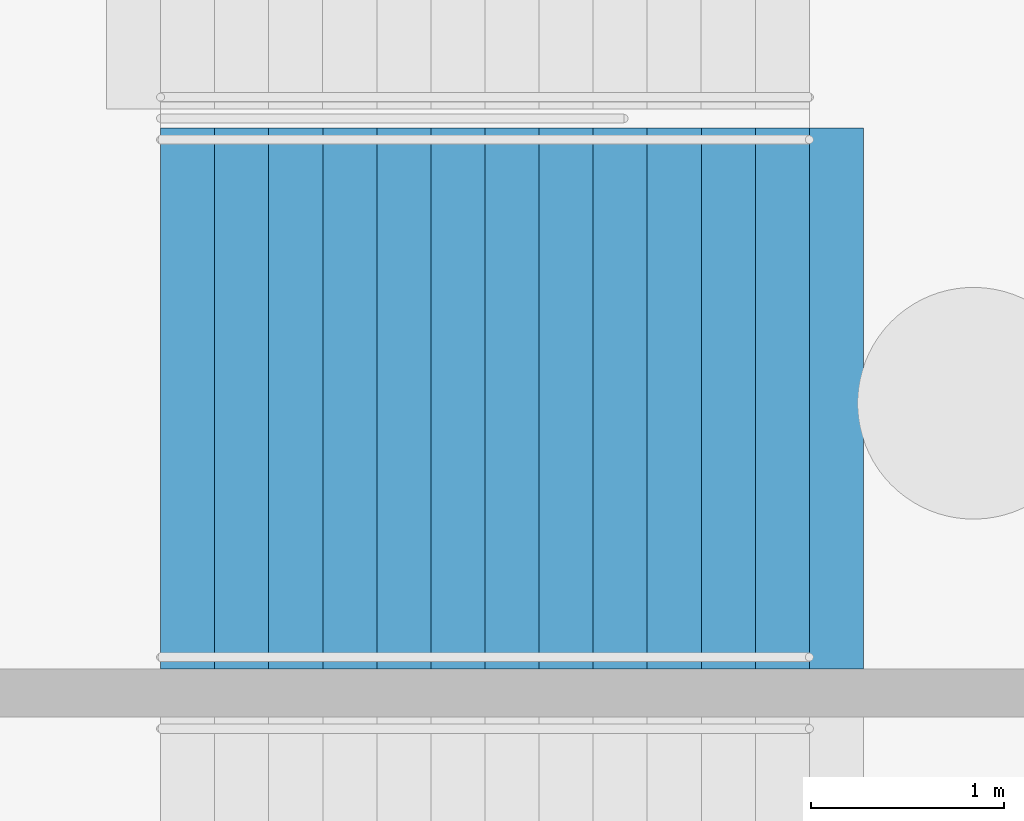
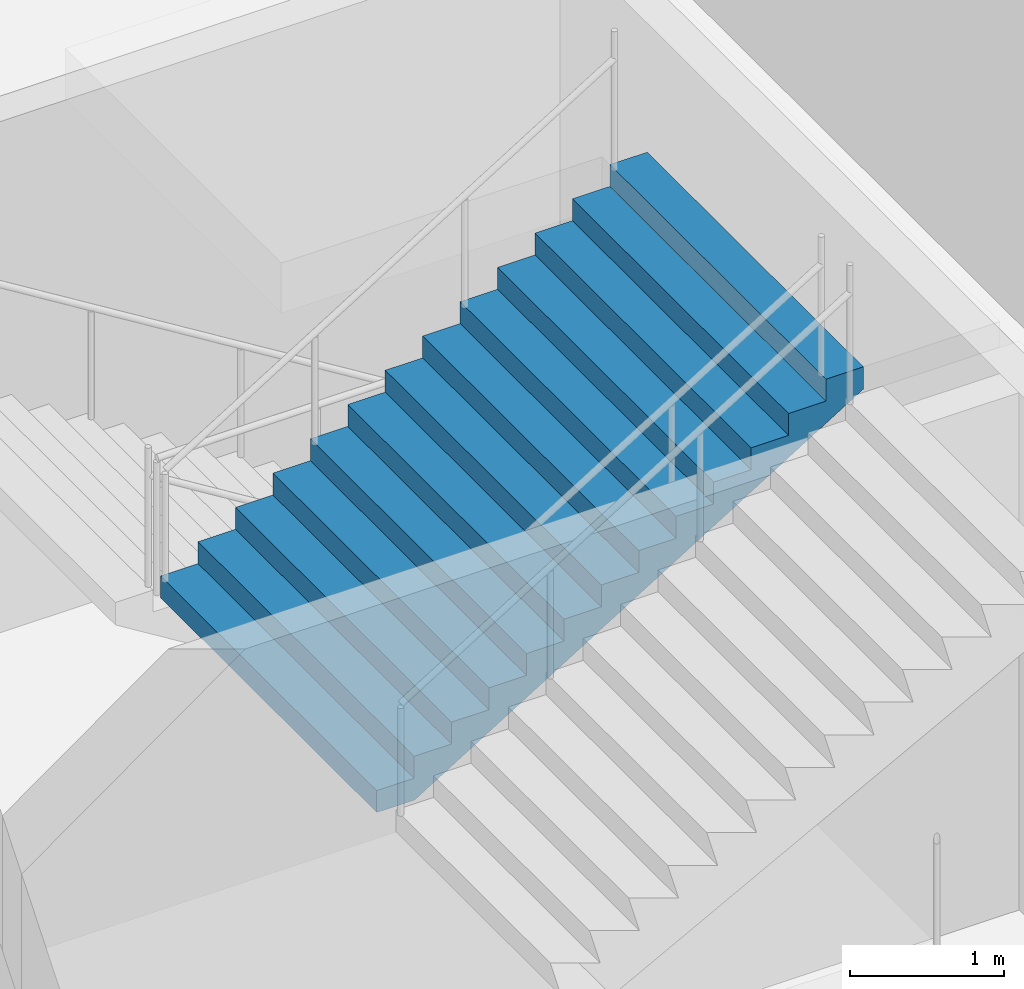
# One storey, part 92 of 115: 1 stair flight, 1 element without a shape of its own.
"""IFC4 building model written with IfcOpenShell, lengths in metres."""

from ifc_helpers import new_model, si_unit, direction, frame, origin, place, context, subcontext, project, spatial, faceted_brep, material, type_object, element, aggregate, save


model = new_model("IFC4")

# Units and contexts
model_context = context("Model", 3, precision=1e-05, world=origin(), true_north=direction((0.0, 1.0)))
body_context = subcontext(model_context, "Body", "Model", "MODEL_VIEW")
ifc_project = project(units=[si_unit("LENGTHUNIT", "METRE"), si_unit("AREAUNIT", "SQUARE_METRE"), si_unit("VOLUMEUNIT", "CUBIC_METRE"), si_unit("PLANEANGLEUNIT", "RADIAN"), si_unit("MASSUNIT", "GRAM", prefix="KILO")], contexts=[model_context])

# Site, building, storey
site_placement = place(None, origin())
site = spatial("IfcSite", under=ifc_project, at=site_placement, CompositionType="ELEMENT")
building_placement = place(site_placement, origin())
building = spatial("IfcBuilding", under=site, at=building_placement, Name="Ogive Plaza Stadium", CompositionType="ELEMENT")
storey_placement = place(building_placement, frame((0.0, 0.0, -4.5)))
storey = spatial("IfcBuildingStorey", under=building, at=storey_placement, Name="B1", CompositionType="ELEMENT", Elevation=-4.5)

# Stair, stair flight
ifc_material_1 = material(Name="Concrete C40/50", Category="concrete")
stair_type = type_object("IfcStairType", Name="Exit stair", PredefinedType="STRAIGHT_RUN_STAIR", material=ifc_material_1)
stair_placement = place(storey_placement, origin())
stair = element("IfcStair", 1, at=stair_placement, inside=storey, type_object=stair_type, Name="Exit stair ST26A B1 to L00", PredefinedType="STRAIGHT_RUN_STAIR")
ifc_material_2 = material(Name="Concrete C40/50", Category="concrete")
stair_flight_type = type_object("IfcStairFlightType", Name="Exit stair flight", PredefinedType="STRAIGHT", material=ifc_material_2)
stair_flight_placement = place(storey_placement, frame((-79.7099609375, 24.02490234375, 2.25), z_axis=(0.0, 0.0, 1.0), x_axis=(1.0, 0.0, 0.0)))
stair_flight = element("IfcStairFlight", 2, at=stair_flight_placement, type_object=stair_flight_type, Name="ST26A flight 2", NumberOfRisers=13, NumberOfTreads=12, PredefinedType="STRAIGHT", RiserHeight=0.173076923, TreadLength=0.28, context=body_context, shape_type="Brep", body=[
    faceted_brep([(0.28515625, -1.39990234375, 0.0), (3.639892578125, -1.39990234375, 2.07373046875), (3.639892578125, -1.39990234375, 2.25), (3.360107421875, -1.39990234375, 2.25), (3.360107421875, -1.39990234375, 2.076904296875), (3.080078125, -1.39990234375, 2.076904296875), (3.080078125, -1.39990234375, 1.90380859375), (2.800048828125, -1.39990234375, 1.90380859375), (2.800048828125, -1.39990234375, 1.730712890625), (2.52001953125, -1.39990234375, 1.730712890625), (2.52001953125, -1.39990234375, 1.5576171875), (2.239990234375, -1.39990234375, 1.5576171875), (2.239990234375, -1.39990234375, 1.384521484375), (1.9599609375, -1.39990234375, 1.384521484375), (1.9599609375, -1.39990234375, 1.21142578125), (1.679931640625, -1.39990234375, 1.21142578125), (1.679931640625, -1.39990234375, 1.03857421875), (1.39990234375, -1.39990234375, 1.03857421875), (1.39990234375, -1.39990234375, 0.865478515625), (1.1201171875, -1.39990234375, 0.865478515625), (1.1201171875, -1.39990234375, 0.6923828125), (0.840087890625, -1.39990234375, 0.6923828125), (0.840087890625, -1.39990234375, 0.519287109375), (0.56005859375, -1.39990234375, 0.519287109375), (0.56005859375, -1.39990234375, 0.34619140625), (0.280029296875, -1.39990234375, 0.34619140625), (0.280029296875, -1.39990234375, 0.173095703125), (0.0, -1.39990234375, 0.173095703125), (0.0, -1.39990234375, 0.0), (0.0, 1.39990234375, 0.0), (0.0, 1.39990234375, 0.173095703125), (0.280029296875, 1.39990234375, 0.173095703125), (0.280029296875, 1.39990234375, 0.34619140625), (0.56005859375, 1.39990234375, 0.34619140625), (0.56005859375, 1.39990234375, 0.519287109375), (0.840087890625, 1.39990234375, 0.519287109375), (0.840087890625, 1.39990234375, 0.6923828125), (1.1201171875, 1.39990234375, 0.6923828125), (1.1201171875, 1.39990234375, 0.865478515625), (1.39990234375, 1.39990234375, 0.865478515625), (1.39990234375, 1.39990234375, 1.03857421875), (1.679931640625, 1.39990234375, 1.03857421875), (1.679931640625, 1.39990234375, 1.21142578125), (1.9599609375, 1.39990234375, 1.21142578125), (1.9599609375, 1.39990234375, 1.384521484375), (2.239990234375, 1.39990234375, 1.384521484375), (2.239990234375, 1.39990234375, 1.5576171875), (2.52001953125, 1.39990234375, 1.5576171875), (2.52001953125, 1.39990234375, 1.730712890625), (2.800048828125, 1.39990234375, 1.730712890625), (2.800048828125, 1.39990234375, 1.90380859375), (3.080078125, 1.39990234375, 1.90380859375), (3.080078125, 1.39990234375, 2.076904296875), (3.360107421875, 1.39990234375, 2.076904296875), (3.360107421875, 1.39990234375, 2.25), (3.639892578125, 1.39990234375, 2.25), (3.639892578125, 1.39990234375, 2.07373046875), (0.28515625, 1.39990234375, 0.0), (0.28515625, -1.0888671875, 0.0), (3.639892578125, -1.0888671875, 2.07373046875), (0.28515625, -0.77783203125, 0.0), (3.639892578125, -0.77783203125, 2.07373046875), (0.28515625, -0.466796875, 0.0), (3.639892578125, -0.466796875, 2.07373046875), (0.28515625, -0.155517578125, 0.0), (3.639892578125, -0.155517578125, 2.07373046875), (0.28515625, 0.155517578125, 0.0), (3.639892578125, 0.155517578125, 2.07373046875), (0.28515625, 0.466796875, 0.0), (3.639892578125, 0.466796875, 2.07373046875), (0.28515625, 0.77783203125, 0.0), (3.639892578125, 0.77783203125, 2.07373046875), (0.28515625, 1.0888671875, 0.0), (3.639892578125, 1.0888671875, 2.07373046875), (3.639892578125, -1.0888671875, 2.25), (3.639892578125, -0.77783203125, 2.25), (3.639892578125, -0.466796875, 2.25), (3.639892578125, -0.155517578125, 2.25), (3.639892578125, 0.155517578125, 2.25), (3.639892578125, 0.466796875, 2.25), (3.639892578125, 0.77783203125, 2.25), (3.639892578125, 1.0888671875, 2.25), (3.360107421875, -1.0888671875, 2.25), (3.360107421875, -0.77783203125, 2.25), (3.360107421875, -0.466796875, 2.25), (3.360107421875, -0.155517578125, 2.25), (3.360107421875, 0.155517578125, 2.25), (3.360107421875, 0.466796875, 2.25), (3.360107421875, 0.77783203125, 2.25), (3.360107421875, 1.0888671875, 2.25), (3.360107421875, -1.0888671875, 2.076904296875), (3.360107421875, -0.77783203125, 2.076904296875), (3.360107421875, -0.466796875, 2.076904296875), (3.360107421875, -0.155517578125, 2.076904296875), (3.360107421875, 0.155517578125, 2.076904296875), (3.360107421875, 0.466796875, 2.076904296875), (3.360107421875, 0.77783203125, 2.076904296875), (3.360107421875, 1.0888671875, 2.076904296875), (3.080078125, -1.0888671875, 2.076904296875), (3.080078125, -0.77783203125, 2.076904296875), (3.080078125, -0.466796875, 2.076904296875), (3.080078125, -0.155517578125, 2.076904296875), (3.080078125, 0.155517578125, 2.076904296875), (3.080078125, 0.466796875, 2.076904296875), (3.080078125, 0.77783203125, 2.076904296875), (3.080078125, 1.0888671875, 2.076904296875), (3.080078125, -1.0888671875, 1.90380859375), (3.080078125, -0.77783203125, 1.90380859375), (3.080078125, -0.466796875, 1.90380859375), (3.080078125, -0.155517578125, 1.90380859375), (3.080078125, 0.155517578125, 1.90380859375), (3.080078125, 0.466796875, 1.90380859375), (3.080078125, 0.77783203125, 1.90380859375), (3.080078125, 1.0888671875, 1.90380859375), (2.800048828125, -1.0888671875, 1.90380859375), (2.800048828125, -0.77783203125, 1.90380859375), (2.800048828125, -0.466796875, 1.90380859375), (2.800048828125, -0.155517578125, 1.90380859375), (2.800048828125, 0.155517578125, 1.90380859375), (2.800048828125, 0.466796875, 1.90380859375), (2.800048828125, 0.77783203125, 1.90380859375), (2.800048828125, 1.0888671875, 1.90380859375), (2.800048828125, -1.0888671875, 1.730712890625), (2.800048828125, -0.77783203125, 1.730712890625), (2.800048828125, -0.466796875, 1.730712890625), (2.800048828125, -0.155517578125, 1.730712890625), (2.800048828125, 0.155517578125, 1.730712890625), (2.800048828125, 0.466796875, 1.730712890625), (2.800048828125, 0.77783203125, 1.730712890625), (2.800048828125, 1.0888671875, 1.730712890625), (2.52001953125, -1.0888671875, 1.730712890625), (2.52001953125, -0.77783203125, 1.730712890625), (2.52001953125, -0.466796875, 1.730712890625), (2.52001953125, -0.155517578125, 1.730712890625), (2.52001953125, 0.155517578125, 1.730712890625), (2.52001953125, 0.466796875, 1.730712890625), (2.52001953125, 0.77783203125, 1.730712890625), (2.52001953125, 1.0888671875, 1.730712890625), (2.52001953125, -1.0888671875, 1.5576171875), (2.52001953125, -0.77783203125, 1.5576171875), (2.52001953125, -0.466796875, 1.5576171875), (2.52001953125, -0.155517578125, 1.5576171875), (2.52001953125, 0.155517578125, 1.5576171875), (2.52001953125, 0.466796875, 1.5576171875), (2.52001953125, 0.77783203125, 1.5576171875), (2.52001953125, 1.0888671875, 1.5576171875), (2.239990234375, -1.0888671875, 1.5576171875), (2.239990234375, -0.77783203125, 1.5576171875), (2.239990234375, -0.466796875, 1.5576171875), (2.239990234375, -0.155517578125, 1.5576171875), (2.239990234375, 0.155517578125, 1.5576171875), (2.239990234375, 0.466796875, 1.5576171875), (2.239990234375, 0.77783203125, 1.5576171875), (2.239990234375, 1.0888671875, 1.5576171875), (2.239990234375, -1.0888671875, 1.384521484375), (2.239990234375, -0.77783203125, 1.384521484375), (2.239990234375, -0.466796875, 1.384521484375), (2.239990234375, -0.155517578125, 1.384521484375), (2.239990234375, 0.155517578125, 1.384521484375), (2.239990234375, 0.466796875, 1.384521484375), (2.239990234375, 0.77783203125, 1.384521484375), (2.239990234375, 1.0888671875, 1.384521484375), (1.9599609375, -1.0888671875, 1.384521484375), (1.9599609375, -0.77783203125, 1.384521484375), (1.9599609375, -0.466796875, 1.384521484375), (1.9599609375, -0.155517578125, 1.384521484375), (1.9599609375, 0.155517578125, 1.384521484375), (1.9599609375, 0.466796875, 1.384521484375), (1.9599609375, 0.77783203125, 1.384521484375), (1.9599609375, 1.0888671875, 1.384521484375), (1.9599609375, -1.0888671875, 1.21142578125), (1.9599609375, -0.77783203125, 1.21142578125), (1.9599609375, -0.466796875, 1.21142578125), (1.9599609375, -0.155517578125, 1.21142578125), (1.9599609375, 0.155517578125, 1.21142578125), (1.9599609375, 0.466796875, 1.21142578125), (1.9599609375, 0.77783203125, 1.21142578125), (1.9599609375, 1.0888671875, 1.21142578125), (1.679931640625, -1.0888671875, 1.21142578125), (1.679931640625, -0.77783203125, 1.21142578125), (1.679931640625, -0.466796875, 1.21142578125), (1.679931640625, -0.155517578125, 1.21142578125), (1.679931640625, 0.155517578125, 1.21142578125), (1.679931640625, 0.466796875, 1.21142578125), (1.679931640625, 0.77783203125, 1.21142578125), (1.679931640625, 1.0888671875, 1.21142578125), (1.679931640625, -1.0888671875, 1.03857421875), (1.679931640625, -0.77783203125, 1.03857421875), (1.679931640625, -0.466796875, 1.03857421875), (1.679931640625, -0.155517578125, 1.03857421875), (1.679931640625, 0.155517578125, 1.03857421875), (1.679931640625, 0.466796875, 1.03857421875), (1.679931640625, 0.77783203125, 1.03857421875), (1.679931640625, 1.0888671875, 1.03857421875), (1.39990234375, -1.0888671875, 1.03857421875), (1.39990234375, -0.77783203125, 1.03857421875), (1.39990234375, -0.466796875, 1.03857421875), (1.39990234375, -0.155517578125, 1.03857421875), (1.39990234375, 0.155517578125, 1.03857421875), (1.39990234375, 0.466796875, 1.03857421875), (1.39990234375, 0.77783203125, 1.03857421875), (1.39990234375, 1.0888671875, 1.03857421875), (1.39990234375, -1.0888671875, 0.865478515625), (1.39990234375, -0.77783203125, 0.865478515625), (1.39990234375, -0.466796875, 0.865478515625), (1.39990234375, -0.155517578125, 0.865478515625), (1.39990234375, 0.155517578125, 0.865478515625), (1.39990234375, 0.466796875, 0.865478515625), (1.39990234375, 0.77783203125, 0.865478515625), (1.39990234375, 1.0888671875, 0.865478515625), (1.1201171875, -1.0888671875, 0.865478515625), (1.1201171875, -0.77783203125, 0.865478515625), (1.1201171875, -0.466796875, 0.865478515625), (1.1201171875, -0.155517578125, 0.865478515625), (1.1201171875, 0.155517578125, 0.865478515625), (1.1201171875, 0.466796875, 0.865478515625), (1.1201171875, 0.77783203125, 0.865478515625), (1.1201171875, 1.0888671875, 0.865478515625), (1.1201171875, -1.0888671875, 0.6923828125), (1.1201171875, -0.77783203125, 0.6923828125), (1.1201171875, -0.466796875, 0.6923828125), (1.1201171875, -0.155517578125, 0.6923828125), (1.1201171875, 0.155517578125, 0.6923828125), (1.1201171875, 0.466796875, 0.6923828125), (1.1201171875, 0.77783203125, 0.6923828125), (1.1201171875, 1.0888671875, 0.6923828125), (0.840087890625, -1.0888671875, 0.6923828125), (0.840087890625, -0.77783203125, 0.6923828125), (0.840087890625, -0.466796875, 0.6923828125), (0.840087890625, -0.155517578125, 0.6923828125), (0.840087890625, 0.155517578125, 0.6923828125), (0.840087890625, 0.466796875, 0.6923828125), (0.840087890625, 0.77783203125, 0.6923828125), (0.840087890625, 1.0888671875, 0.6923828125), (0.840087890625, -1.0888671875, 0.519287109375), (0.840087890625, -0.77783203125, 0.519287109375), (0.840087890625, -0.466796875, 0.519287109375), (0.840087890625, -0.155517578125, 0.519287109375), (0.840087890625, 0.155517578125, 0.519287109375), (0.840087890625, 0.466796875, 0.519287109375), (0.840087890625, 0.77783203125, 0.519287109375), (0.840087890625, 1.0888671875, 0.519287109375), (0.56005859375, -1.0888671875, 0.519287109375), (0.56005859375, -0.77783203125, 0.519287109375), (0.56005859375, -0.466796875, 0.519287109375), (0.56005859375, -0.155517578125, 0.519287109375), (0.56005859375, 0.155517578125, 0.519287109375), (0.56005859375, 0.466796875, 0.519287109375), (0.56005859375, 0.77783203125, 0.519287109375), (0.56005859375, 1.0888671875, 0.519287109375), (0.56005859375, -1.0888671875, 0.34619140625), (0.56005859375, -0.77783203125, 0.34619140625), (0.56005859375, -0.466796875, 0.34619140625), (0.56005859375, -0.155517578125, 0.34619140625), (0.56005859375, 0.155517578125, 0.34619140625), (0.56005859375, 0.466796875, 0.34619140625), (0.56005859375, 0.77783203125, 0.34619140625), (0.56005859375, 1.0888671875, 0.34619140625), (0.280029296875, -1.0888671875, 0.34619140625), (0.280029296875, -0.77783203125, 0.34619140625), (0.280029296875, -0.466796875, 0.34619140625), (0.280029296875, -0.155517578125, 0.34619140625), (0.280029296875, 0.155517578125, 0.34619140625), (0.280029296875, 0.466796875, 0.34619140625), (0.280029296875, 0.77783203125, 0.34619140625), (0.280029296875, 1.0888671875, 0.34619140625), (0.280029296875, -1.0888671875, 0.173095703125), (0.280029296875, -0.77783203125, 0.173095703125), (0.280029296875, -0.466796875, 0.173095703125), (0.280029296875, -0.155517578125, 0.173095703125), (0.280029296875, 0.155517578125, 0.173095703125), (0.280029296875, 0.466796875, 0.173095703125), (0.280029296875, 0.77783203125, 0.173095703125), (0.280029296875, 1.0888671875, 0.173095703125), (0.0, -1.0888671875, 0.173095703125), (0.0, -0.77783203125, 0.173095703125), (0.0, -0.466796875, 0.173095703125), (0.0, -0.155517578125, 0.173095703125), (0.0, 0.155517578125, 0.173095703125), (0.0, 0.466796875, 0.173095703125), (0.0, 0.77783203125, 0.173095703125), (0.0, 1.0888671875, 0.173095703125), (0.0, -1.0888671875, 0.0), (0.0, -0.77783203125, 0.0), (0.0, -0.466796875, 0.0), (0.0, -0.155517578125, 0.0), (0.0, 0.155517578125, 0.0), (0.0, 0.466796875, 0.0), (0.0, 0.77783203125, 0.0), (0.0, 1.0888671875, 0.0)], [[[0, 1, 2, 3, 4, 5, 6, 7, 8, 9, 10, 11, 12, 13, 14, 15, 16, 17, 18, 19, 20, 21, 22, 23, 24, 25, 26, 27, 28]], [[29, 30, 31, 32, 33, 34, 35, 36, 37, 38, 39, 40, 41, 42, 43, 44, 45, 46, 47, 48, 49, 50, 51, 52, 53, 54, 55, 56, 57]], [[0, 58, 59, 1]], [[58, 60, 61, 59]], [[60, 62, 63, 61]], [[62, 64, 65, 63]], [[64, 66, 67, 65]], [[66, 68, 69, 67]], [[68, 70, 71, 69]], [[70, 72, 73, 71]], [[72, 57, 56, 73]], [[1, 59, 74, 2]], [[59, 61, 75, 74]], [[61, 63, 76, 75]], [[63, 65, 77, 76]], [[65, 67, 78, 77]], [[67, 69, 79, 78]], [[69, 71, 80, 79]], [[71, 73, 81, 80]], [[73, 56, 55, 81]], [[2, 74, 82, 3]], [[74, 75, 83, 82]], [[75, 76, 84, 83]], [[76, 77, 85, 84]], [[77, 78, 86, 85]], [[78, 79, 87, 86]], [[79, 80, 88, 87]], [[80, 81, 89, 88]], [[81, 55, 54, 89]], [[3, 82, 90, 4]], [[82, 83, 91, 90]], [[83, 84, 92, 91]], [[84, 85, 93, 92]], [[85, 86, 94, 93]], [[86, 87, 95, 94]], [[87, 88, 96, 95]], [[88, 89, 97, 96]], [[89, 54, 53, 97]], [[4, 90, 98, 5]], [[90, 91, 99, 98]], [[91, 92, 100, 99]], [[92, 93, 101, 100]], [[93, 94, 102, 101]], [[94, 95, 103, 102]], [[95, 96, 104, 103]], [[96, 97, 105, 104]], [[97, 53, 52, 105]], [[5, 98, 106, 6]], [[98, 99, 107, 106]], [[99, 100, 108, 107]], [[100, 101, 109, 108]], [[101, 102, 110, 109]], [[102, 103, 111, 110]], [[103, 104, 112, 111]], [[104, 105, 113, 112]], [[105, 52, 51, 113]], [[6, 106, 114, 7]], [[106, 107, 115, 114]], [[107, 108, 116, 115]], [[108, 109, 117, 116]], [[109, 110, 118, 117]], [[110, 111, 119, 118]], [[111, 112, 120, 119]], [[112, 113, 121, 120]], [[113, 51, 50, 121]], [[7, 114, 122, 8]], [[114, 115, 123, 122]], [[115, 116, 124, 123]], [[116, 117, 125, 124]], [[117, 118, 126, 125]], [[118, 119, 127, 126]], [[119, 120, 128, 127]], [[120, 121, 129, 128]], [[121, 50, 49, 129]], [[8, 122, 130, 9]], [[122, 123, 131, 130]], [[123, 124, 132, 131]], [[124, 125, 133, 132]], [[125, 126, 134, 133]], [[126, 127, 135, 134]], [[127, 128, 136, 135]], [[128, 129, 137, 136]], [[129, 49, 48, 137]], [[9, 130, 138, 10]], [[130, 131, 139, 138]], [[131, 132, 140, 139]], [[132, 133, 141, 140]], [[133, 134, 142, 141]], [[134, 135, 143, 142]], [[135, 136, 144, 143]], [[136, 137, 145, 144]], [[137, 48, 47, 145]], [[10, 138, 146, 11]], [[138, 139, 147, 146]], [[139, 140, 148, 147]], [[140, 141, 149, 148]], [[141, 142, 150, 149]], [[142, 143, 151, 150]], [[143, 144, 152, 151]], [[144, 145, 153, 152]], [[145, 47, 46, 153]], [[11, 146, 154, 12]], [[146, 147, 155, 154]], [[147, 148, 156, 155]], [[148, 149, 157, 156]], [[149, 150, 158, 157]], [[150, 151, 159, 158]], [[151, 152, 160, 159]], [[152, 153, 161, 160]], [[153, 46, 45, 161]], [[12, 154, 162, 13]], [[154, 155, 163, 162]], [[155, 156, 164, 163]], [[156, 157, 165, 164]], [[157, 158, 166, 165]], [[158, 159, 167, 166]], [[159, 160, 168, 167]], [[160, 161, 169, 168]], [[161, 45, 44, 169]], [[13, 162, 170, 14]], [[162, 163, 171, 170]], [[163, 164, 172, 171]], [[164, 165, 173, 172]], [[165, 166, 174, 173]], [[166, 167, 175, 174]], [[167, 168, 176, 175]], [[168, 169, 177, 176]], [[169, 44, 43, 177]], [[14, 170, 178, 15]], [[170, 171, 179, 178]], [[171, 172, 180, 179]], [[172, 173, 181, 180]], [[173, 174, 182, 181]], [[174, 175, 183, 182]], [[175, 176, 184, 183]], [[176, 177, 185, 184]], [[177, 43, 42, 185]], [[15, 178, 186, 16]], [[178, 179, 187, 186]], [[179, 180, 188, 187]], [[180, 181, 189, 188]], [[181, 182, 190, 189]], [[182, 183, 191, 190]], [[183, 184, 192, 191]], [[184, 185, 193, 192]], [[185, 42, 41, 193]], [[16, 186, 194, 17]], [[186, 187, 195, 194]], [[187, 188, 196, 195]], [[188, 189, 197, 196]], [[189, 190, 198, 197]], [[190, 191, 199, 198]], [[191, 192, 200, 199]], [[192, 193, 201, 200]], [[193, 41, 40, 201]], [[17, 194, 202, 18]], [[194, 195, 203, 202]], [[195, 196, 204, 203]], [[196, 197, 205, 204]], [[197, 198, 206, 205]], [[198, 199, 207, 206]], [[199, 200, 208, 207]], [[200, 201, 209, 208]], [[201, 40, 39, 209]], [[18, 202, 210, 19]], [[202, 203, 211, 210]], [[203, 204, 212, 211]], [[204, 205, 213, 212]], [[205, 206, 214, 213]], [[206, 207, 215, 214]], [[207, 208, 216, 215]], [[208, 209, 217, 216]], [[209, 39, 38, 217]], [[19, 210, 218, 20]], [[210, 211, 219, 218]], [[211, 212, 220, 219]], [[212, 213, 221, 220]], [[213, 214, 222, 221]], [[214, 215, 223, 222]], [[215, 216, 224, 223]], [[216, 217, 225, 224]], [[217, 38, 37, 225]], [[20, 218, 226, 21]], [[218, 219, 227, 226]], [[219, 220, 228, 227]], [[220, 221, 229, 228]], [[221, 222, 230, 229]], [[222, 223, 231, 230]], [[223, 224, 232, 231]], [[224, 225, 233, 232]], [[225, 37, 36, 233]], [[21, 226, 234, 22]], [[226, 227, 235, 234]], [[227, 228, 236, 235]], [[228, 229, 237, 236]], [[229, 230, 238, 237]], [[230, 231, 239, 238]], [[231, 232, 240, 239]], [[232, 233, 241, 240]], [[233, 36, 35, 241]], [[22, 234, 242, 23]], [[234, 235, 243, 242]], [[235, 236, 244, 243]], [[236, 237, 245, 244]], [[237, 238, 246, 245]], [[238, 239, 247, 246]], [[239, 240, 248, 247]], [[240, 241, 249, 248]], [[241, 35, 34, 249]], [[23, 242, 250, 24]], [[242, 243, 251, 250]], [[243, 244, 252, 251]], [[244, 245, 253, 252]], [[245, 246, 254, 253]], [[246, 247, 255, 254]], [[247, 248, 256, 255]], [[248, 249, 257, 256]], [[249, 34, 33, 257]], [[24, 250, 258, 25]], [[250, 251, 259, 258]], [[251, 252, 260, 259]], [[252, 253, 261, 260]], [[253, 254, 262, 261]], [[254, 255, 263, 262]], [[255, 256, 264, 263]], [[256, 257, 265, 264]], [[257, 33, 32, 265]], [[25, 258, 266, 26]], [[258, 259, 267, 266]], [[259, 260, 268, 267]], [[260, 261, 269, 268]], [[261, 262, 270, 269]], [[262, 263, 271, 270]], [[263, 264, 272, 271]], [[264, 265, 273, 272]], [[265, 32, 31, 273]], [[26, 266, 274, 27]], [[266, 267, 275, 274]], [[267, 268, 276, 275]], [[268, 269, 277, 276]], [[269, 270, 278, 277]], [[270, 271, 279, 278]], [[271, 272, 280, 279]], [[272, 273, 281, 280]], [[273, 31, 30, 281]], [[27, 274, 282, 28]], [[274, 275, 283, 282]], [[275, 276, 284, 283]], [[276, 277, 285, 284]], [[277, 278, 286, 285]], [[278, 279, 287, 286]], [[279, 280, 288, 287]], [[280, 281, 289, 288]], [[281, 30, 29, 289]], [[28, 282, 58, 0]], [[282, 283, 60, 58]], [[283, 284, 62, 60]], [[284, 285, 64, 62]], [[285, 286, 66, 64]], [[286, 287, 68, 66]], [[287, 288, 70, 68]], [[288, 289, 72, 70]], [[289, 29, 57, 72]]]),
])
aggregate(stair, [stair_flight])

save(model, "model.ifc")
